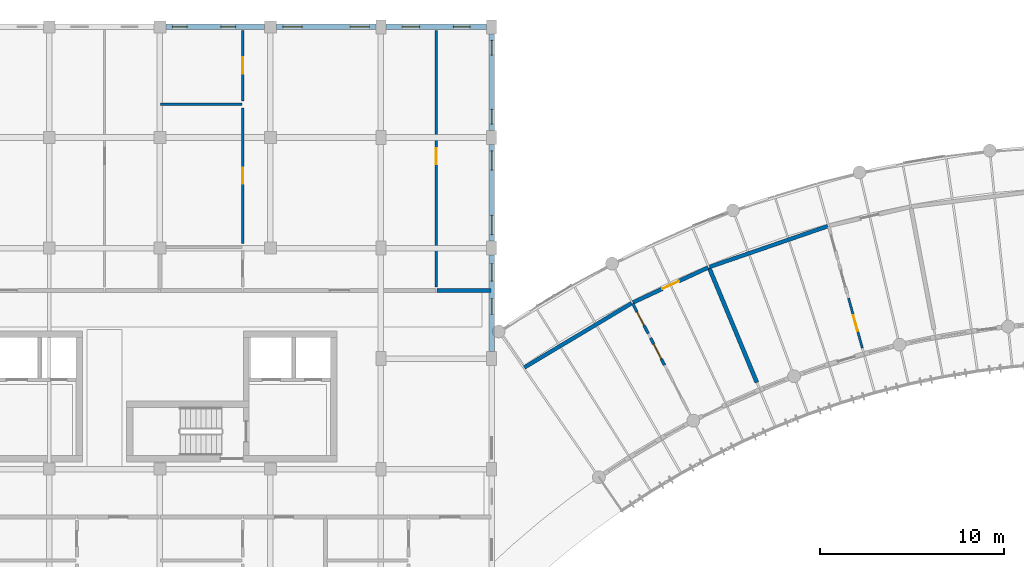
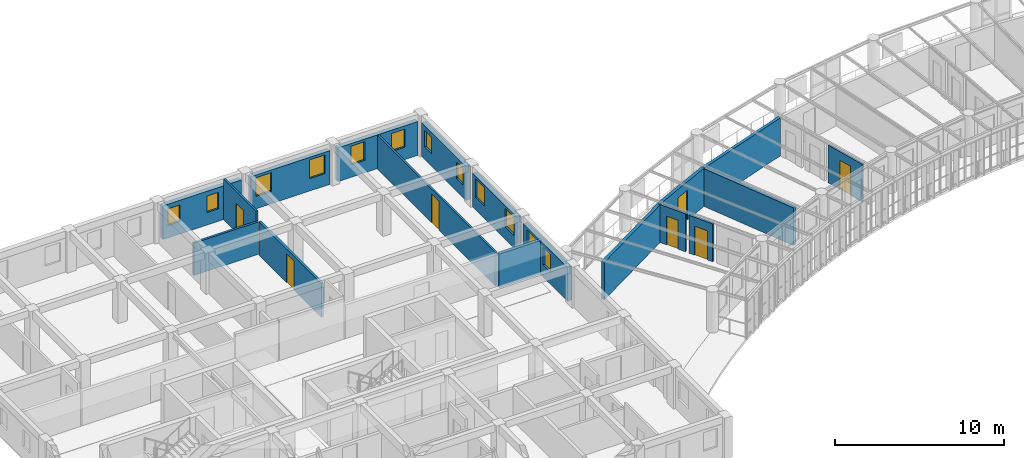
# One storey, part 92 of 123: 18 walls, 12 windows, 7 doors, 19 openings.
"""IFC4 building model written with IfcOpenShell, lengths in metres."""

from ifc_helpers import new_model, si_unit, direction, frame, frame_2d, origin, place, context, subcontext, project, spatial, rectangle, extrude, material, layer, layer_set, type_object, element, fill, save


model = new_model("IFC4")

# Units and contexts
model_context = context("Model", 3, precision=1e-05, world=origin(), true_north=direction((0.0, 1.0)))
body_context = subcontext(model_context, "Body", "Model", "MODEL_VIEW")
ifc_project = project(units=[si_unit("LENGTHUNIT", "METRE"), si_unit("AREAUNIT", "SQUARE_METRE"), si_unit("VOLUMEUNIT", "CUBIC_METRE"), si_unit("PLANEANGLEUNIT", "RADIAN"), si_unit("MASSUNIT", "GRAM", prefix="KILO"), si_unit("POWERUNIT", "WATT"), si_unit("THERMODYNAMICTEMPERATUREUNIT", "KELVIN")], contexts=[model_context])

# Site, building, storey
site_placement = place(None, origin())
site = spatial("IfcSite", under=ifc_project, at=site_placement, CompositionType="ELEMENT")
building_placement = place(site_placement, origin())
building = spatial("IfcBuilding", under=site, at=building_placement, Name="Ruvembo Vaulted Housing Court", CompositionType="ELEMENT")
storey_placement = place(building_placement, frame((0.0, 0.0, 7.699951171875)))
storey = spatial("IfcBuildingStorey", under=building, at=storey_placement, Name="L02", CompositionType="ELEMENT", Elevation=7.699951171875)

# Walls
ifc_material_1 = material(Name="Concrete Blockwork 210", Category="masonry")
ifc_layer_1 = layer(ifc_material_1, 0.2099609375, Name="Concrete Blockwork 210")
ifc_layer_set_1 = layer_set([ifc_layer_1], Name="Concrete Blockwork 210")
wall_type_1 = type_object("IfcWallType", Name="WL-CORR-210", PredefinedType="SOLIDWALL", material=ifc_layer_set_1)
wall_1_placement = place(storey_placement, frame((81.0400390625, 99.699951171875, 0.0), z_axis=(0.0, 0.0, 1.0), x_axis=(1.0, 0.0, 0.0)))
element("IfcWall", 1, at=wall_1_placement, inside=storey, type_object=wall_type_1, Name="L02 Flat B-L02-N2 Corridor Wall 2 WL-INT-L02-00580", PredefinedType="SOLIDWALL", context=body_context, shape_type="SweptSolid", body=[
    extrude(rectangle(XDim=2.919921875, YDim=0.2099609375, at=frame_2d((1.4599609375, 0.0))), origin(), (0.0, 0.0, 1.0), 2.43701171875),
])
wall_2_placement = place(storey_placement, frame((85.779296875, 95.519775390625, 0.0), z_axis=(0.0, 0.0, 1.0), x_axis=(0.857911441451, 0.513797585268, 0.0)))
element("IfcWall", 2, at=wall_2_placement, inside=storey, type_object=wall_type_1, Name="L02 Suite SC3-L02-U1 Gallery Wall WL-INT-L02-00740", PredefinedType="SOLIDWALL", context=body_context, shape_type="SweptSolid", body=[
    extrude(rectangle(XDim=6.789794921875, YDim=0.2099609375, at=frame_2d((3.39501953125, 0.0))), origin(), (0.0, 0.0, 1.0), 2.72216796875),
])

# Wall, opening, door
wall_3_placement = place(storey_placement, frame((91.6748046875, 99.0458984375, 0.0), z_axis=(0.0, 0.0, 1.0), x_axis=(0.906512639591, 0.422178675755, 0.0)))
wall_3 = element("IfcWall", 3, at=wall_3_placement, inside=storey, type_object=wall_type_1, Name="L02 Suite SC3-L02-U1 Entrance WL-INT-L02-00741", PredefinedType="SOLIDWALL", context=body_context, shape_type="SweptSolid", body=[
    extrude(rectangle(XDim=4.50146484375, YDim=0.2099609375, at=frame_2d((2.250732421875, 0.0))), origin(), (0.0, 0.0, 1.0), 2.761962890625),
])
opening_1_placement = place(wall_3_placement, frame((1.750732421875, 0.0, 0.0)))
opening_1 = element("IfcOpeningElement", 4, at=opening_1_placement, cuts=wall_3, Name="Opening FD1", PredefinedType="OPENING", context=body_context, shape_type="SweptSolid", body=[
    extrude(rectangle(XDim=1.0, YDim=2.14990234375, at=frame_2d((0.5, 1.074951171875))), frame((0.0, 0.114990234375, 0.0), z_axis=(0.0, -1.0, 0.0), x_axis=(1.0, 0.0, 0.0)), (0.0, 0.0, 1.0), 0.22998046875),
])
ifc_material_2 = material(Name="FSC Hardwood and Engineered Timber", Category="wood")
door_type_1 = type_object("IfcDoorType", Name="DR-FLAT-1000x2150", OperationType="NOTDEFINED", PredefinedType="DOOR", material=ifc_material_2)
door_1_placement = place(opening_1_placement, origin())
door_1 = element("IfcDoor", 5, at=door_1_placement, inside=storey, type_object=door_type_1, Name="L02 Suite SC3-L02-U1 Entrance Door DR-INT-L02-00408", OperationType="SINGLE_SWING_RIGHT", OverallHeight=2.14990234375, OverallWidth=1.0, PredefinedType="DOOR", context=body_context, shape_type="SweptSolid", body=[
    extrude(rectangle(XDim=1.0, YDim=2.14990234375, at=frame_2d((0.5, 1.074951171875))), frame((0.0, 0.02490234375, 0.0), z_axis=(0.0, -1.0, 0.0), x_axis=(1.0, 0.0, 0.0)), (0.0, 0.0, 1.0), 0.050048828125),
])
fill(opening_1, door_1)

# Walls
wall_4_placement = place(storey_placement, frame((95.82958984375, 100.976318359375, 0.0), z_axis=(0.0, 0.0, 1.0), x_axis=(0.945371453115, 0.325995115969, 0.0)))
element("IfcWall", 6, at=wall_4_placement, inside=storey, type_object=wall_type_1, Name="L02 Suite SC3-L02-U2 Gallery Wall WL-INT-L02-00746", PredefinedType="SOLIDWALL", context=body_context, shape_type="SweptSolid", body=[
    extrude(rectangle(XDim=6.78955078125, YDim=0.2099609375, at=frame_2d((3.394775390625, 0.0))), origin(), (0.0, 0.0, 1.0), 2.741943359375),
])
ifc_material_3 = material(Name="Acoustic Masonry Demising 220", Category="masonry")
ifc_layer_2 = layer(ifc_material_3, 0.219970703125, Name="Acoustic Masonry Demising 220")
ifc_layer_set_2 = layer_set([ifc_layer_2], Name="Acoustic Masonry Demising 220")
wall_type_2 = type_object("IfcWallType", Name="WL-DEM-200", PredefinedType="SOLIDWALL", material=ifc_layer_set_2)
wall_5_placement = place(storey_placement, frame((98.39501953125, 94.707275390625, 0.0), z_axis=(0.0, 0.0, 1.0), x_axis=(-0.384190705314, 0.923253758157, 0.0)))
element("IfcWall", 7, at=wall_5_placement, inside=storey, type_object=wall_type_2, Name="L02 Suite SC3-L02-U1 Demising WL-INT-L02-00745", PredefinedType="SOLIDWALL", context=body_context, shape_type="SweptSolid", body=[
    extrude(rectangle(XDim=6.73583984375, YDim=0.219970703125, at=frame_2d((3.367919921875, 0.0))), origin(), (0.0, 0.0, 1.0), 2.72216796875),
])

# Wall, openings, windows
ifc_material_4 = material(Name="Rendered Masonry 300", Category="masonry")
ifc_layer_3 = layer(ifc_material_4, 0.300048828125, Name="Rendered Masonry 300")
ifc_layer_set_3 = layer_set([ifc_layer_3], Name="Rendered Masonry 300")
wall_type_3 = type_object("IfcWallType", Name="WL-EXT-300", PredefinedType="STANDARD", material=ifc_layer_set_3)
wall_6_placement = place(storey_placement, frame((84.0, 96.375, 0.0), z_axis=(0.0, 0.0, 1.0), x_axis=(0.0, 1.0, 0.0)))
wall_6 = element("IfcWall", 8, at=wall_6_placement, inside=storey, type_object=wall_type_3, Name="Block B L02 Exterior Wall EAST #4", PredefinedType="STANDARD", context=body_context, shape_type="SweptSolid", body=[
    extrude(rectangle(XDim=5.25, YDim=0.300048828125, at=frame_2d((2.625, 0.0))), origin(), (0.0, 0.0, 1.0), 2.43701171875),
])
opening_2_placement = place(wall_6_placement, frame((2.02880859375, 0.0, 0.89990234375)))
opening_2 = element("IfcOpeningElement", 9, at=opening_2_placement, cuts=wall_6, Name="Opening W03", PredefinedType="OPENING", context=body_context, shape_type="SweptSolid", body=[
    extrude(rectangle(XDim=0.85009765625, YDim=1.25, at=frame_2d((0.425048828125, 0.625))), frame((0.0, 0.159912109375, 0.0), z_axis=(0.0, -1.0, 0.0), x_axis=(1.0, 0.0, 0.0)), (0.0, 0.0, 1.0), 0.320068359375),
])
opening_3_placement = place(wall_6_placement, frame((3.83251953125, 0.0, 0.89990234375)))
opening_3 = element("IfcOpeningElement", 10, at=opening_3_placement, cuts=wall_6, Name="Opening W07", PredefinedType="OPENING", context=body_context, shape_type="SweptSolid", body=[
    extrude(rectangle(XDim=0.949951171875, YDim=1.35009765625, at=frame_2d((0.47509765625, 0.675048828125))), frame((0.0, 0.159912109375, 0.0), z_axis=(0.0, -1.0, 0.0), x_axis=(1.0, 0.0, 0.0)), (0.0, 0.0, 1.0), 0.320068359375),
])
ifc_material_5 = material(Name="Double Solar-Control Glazing in Aluminium Frame", Category="aluminium")
window_type_1 = type_object("IfcWindowType", Name="WIN-0850x1250", PartitioningType="SINGLE_PANEL", PredefinedType="WINDOW", material=ifc_material_5)
window_1_placement = place(opening_2_placement, origin())
window_1 = element("IfcWindow", 11, at=window_1_placement, inside=storey, type_object=window_type_1, Name="Block B L02 Window #698", OverallHeight=1.25, OverallWidth=0.85009765625, PartitioningType="SINGLE_PANEL", PredefinedType="WINDOW", context=body_context, shape_type="SweptSolid", body=[
    extrude(rectangle(XDim=0.85009765625, YDim=1.25, at=frame_2d((0.425048828125, 0.625))), frame((0.0, 0.030029296875, 0.0), z_axis=(0.0, -1.0, 0.0), x_axis=(1.0, 0.0, 0.0)), (0.0, 0.0, 1.0), 0.06005859375),
])
fill(opening_2, window_1)
window_type_2 = type_object("IfcWindowType", Name="WIN-0950x1350", PartitioningType="SINGLE_PANEL", PredefinedType="WINDOW", material=ifc_material_5)
window_2_placement = place(opening_3_placement, origin())
window_2 = element("IfcWindow", 12, at=window_2_placement, inside=storey, type_object=window_type_2, Name="Block B L02 Window #699", OverallHeight=1.35009765625, OverallWidth=0.949951171875, PartitioningType="SINGLE_PANEL", PredefinedType="WINDOW", context=body_context, shape_type="SweptSolid", body=[
    extrude(rectangle(XDim=0.949951171875, YDim=1.35009765625, at=frame_2d((0.47509765625, 0.675048828125))), frame((0.0, 0.030029296875, 0.0), z_axis=(0.0, -1.0, 0.0), x_axis=(1.0, 0.0, 0.0)), (0.0, 0.0, 1.0), 0.06005859375),
])
fill(opening_3, window_2)

wall_7_placement = place(storey_placement, frame((84.0, 102.375, 0.0), z_axis=(0.0, 0.0, 1.0), x_axis=(0.0, 1.0, 0.0)))
wall_7 = element("IfcWall", 13, at=wall_7_placement, inside=storey, type_object=wall_type_3, Name="Block B L02 Exterior Wall EAST #5", PredefinedType="STANDARD", context=body_context, shape_type="SweptSolid", body=[
    extrude(rectangle(XDim=5.25, YDim=0.300048828125, at=frame_2d((2.625, 0.0))), origin(), (0.0, 0.0, 1.0), 2.43701171875),
])
opening_4_placement = place(wall_7_placement, frame((0.35009765625, 0.0, 0.89990234375)))
opening_4 = element("IfcOpeningElement", 14, at=opening_4_placement, cuts=wall_7, Name="Opening W09", PredefinedType="OPENING", context=body_context, shape_type="SweptSolid", body=[
    extrude(rectangle(XDim=1.050048828125, YDim=1.35009765625, at=frame_2d((0.52490234375, 0.675048828125))), frame((0.0, 0.159912109375, 0.0), z_axis=(0.0, -1.0, 0.0), x_axis=(1.0, 0.0, 0.0)), (0.0, 0.0, 1.0), 0.320068359375),
])
opening_5_placement = place(wall_7_placement, frame((3.85009765625, 0.0, 0.89990234375)))
opening_5 = element("IfcOpeningElement", 15, at=opening_5_placement, cuts=wall_7, Name="Opening W09", PredefinedType="OPENING", context=body_context, shape_type="SweptSolid", body=[
    extrude(rectangle(XDim=1.050048828125, YDim=1.35009765625, at=frame_2d((0.52490234375, 0.675048828125))), frame((0.0, 0.159912109375, 0.0), z_axis=(0.0, -1.0, 0.0), x_axis=(1.0, 0.0, 0.0)), (0.0, 0.0, 1.0), 0.320068359375),
])
window_type_3 = type_object("IfcWindowType", Name="WIN-1050x1350", PartitioningType="SINGLE_PANEL", PredefinedType="WINDOW", material=ifc_material_5)
window_3_placement = place(opening_4_placement, origin())
window_3 = element("IfcWindow", 16, at=window_3_placement, inside=storey, type_object=window_type_3, Name="Block B L02 Window #700", OverallHeight=1.35009765625, OverallWidth=1.050048828125, PartitioningType="SINGLE_PANEL", PredefinedType="WINDOW", context=body_context, shape_type="SweptSolid", body=[
    extrude(rectangle(XDim=1.050048828125, YDim=1.35009765625, at=frame_2d((0.52490234375, 0.675048828125))), frame((0.0, 0.030029296875, 0.0), z_axis=(0.0, -1.0, 0.0), x_axis=(1.0, 0.0, 0.0)), (0.0, 0.0, 1.0), 0.06005859375),
])
fill(opening_4, window_3)
window_4_placement = place(opening_5_placement, origin())
window_4 = element("IfcWindow", 17, at=window_4_placement, inside=storey, type_object=window_type_3, Name="Block B L02 Window #701", OverallHeight=1.35009765625, OverallWidth=1.050048828125, PartitioningType="SINGLE_PANEL", PredefinedType="WINDOW", context=body_context, shape_type="SweptSolid", body=[
    extrude(rectangle(XDim=1.050048828125, YDim=1.35009765625, at=frame_2d((0.52490234375, 0.675048828125))), frame((0.0, 0.030029296875, 0.0), z_axis=(0.0, -1.0, 0.0), x_axis=(1.0, 0.0, 0.0)), (0.0, 0.0, 1.0), 0.06005859375),
])
fill(opening_5, window_4)

wall_8_placement = place(storey_placement, frame((84.0, 108.375, 0.0), z_axis=(0.0, 0.0, 1.0), x_axis=(0.0, 1.0, 0.0)))
wall_8 = element("IfcWall", 18, at=wall_8_placement, inside=storey, type_object=wall_type_3, Name="Block B L02 Exterior Wall EAST #6", PredefinedType="STANDARD", context=body_context, shape_type="SweptSolid", body=[
    extrude(rectangle(XDim=5.25, YDim=0.300048828125, at=frame_2d((2.625, 0.0))), origin(), (0.0, 0.0, 1.0), 2.43701171875),
])
opening_6_placement = place(wall_8_placement, frame((0.35009765625, 0.0, 0.89990234375)))
opening_6 = element("IfcOpeningElement", 19, at=opening_6_placement, cuts=wall_8, Name="Opening W02", PredefinedType="OPENING", context=body_context, shape_type="SweptSolid", body=[
    extrude(rectangle(XDim=0.800048828125, YDim=1.199951171875, at=frame_2d((0.39990234375, 0.60009765625))), frame((0.0, 0.159912109375, 0.0), z_axis=(0.0, -1.0, 0.0), x_axis=(1.0, 0.0, 0.0)), (0.0, 0.0, 1.0), 0.320068359375),
])
opening_7_placement = place(wall_8_placement, frame((4.10009765625, 0.0, 0.89990234375)))
opening_7 = element("IfcOpeningElement", 20, at=opening_7_placement, cuts=wall_8, Name="Opening W02", PredefinedType="OPENING", context=body_context, shape_type="SweptSolid", body=[
    extrude(rectangle(XDim=0.800048828125, YDim=1.199951171875, at=frame_2d((0.39990234375, 0.60009765625))), frame((0.0, 0.159912109375, 0.0), z_axis=(0.0, -1.0, 0.0), x_axis=(1.0, 0.0, 0.0)), (0.0, 0.0, 1.0), 0.320068359375),
])
window_type_4 = type_object("IfcWindowType", Name="WIN-0800x1200", PartitioningType="SINGLE_PANEL", PredefinedType="WINDOW", material=ifc_material_5)
window_5_placement = place(opening_6_placement, origin())
window_5 = element("IfcWindow", 21, at=window_5_placement, inside=storey, type_object=window_type_4, Name="Block B L02 Window #702", OverallHeight=1.199951171875, OverallWidth=0.800048828125, PartitioningType="SINGLE_PANEL", PredefinedType="WINDOW", context=body_context, shape_type="SweptSolid", body=[
    extrude(rectangle(XDim=0.800048828125, YDim=1.199951171875, at=frame_2d((0.39990234375, 0.60009765625))), frame((0.0, 0.030029296875, 0.0), z_axis=(0.0, -1.0, 0.0), x_axis=(1.0, 0.0, 0.0)), (0.0, 0.0, 1.0), 0.06005859375),
])
fill(opening_6, window_5)
window_6_placement = place(opening_7_placement, origin())
window_6 = element("IfcWindow", 22, at=window_6_placement, inside=storey, type_object=window_type_4, Name="Block B L02 Window #703", OverallHeight=1.199951171875, OverallWidth=0.800048828125, PartitioningType="SINGLE_PANEL", PredefinedType="WINDOW", context=body_context, shape_type="SweptSolid", body=[
    extrude(rectangle(XDim=0.800048828125, YDim=1.199951171875, at=frame_2d((0.39990234375, 0.60009765625))), frame((0.0, 0.030029296875, 0.0), z_axis=(0.0, -1.0, 0.0), x_axis=(1.0, 0.0, 0.0)), (0.0, 0.0, 1.0), 0.06005859375),
])
fill(opening_7, window_6)

wall_9_placement = place(storey_placement, frame((83.72509765625, 114.0, 0.0), z_axis=(0.0, 0.0, 1.0), x_axis=(-1.0, 0.0, 0.0)))
wall_9 = element("IfcWall", 23, at=wall_9_placement, inside=storey, type_object=wall_type_3, Name="Block B L02 Exterior Wall STREET #1", PredefinedType="STANDARD", context=body_context, shape_type="SweptSolid", body=[
    extrude(rectangle(XDim=5.4501953125, YDim=0.300048828125, at=frame_2d((2.72509765625, 0.0))), origin(), (0.0, 0.0, 1.0), 2.43701171875),
])
opening_8_placement = place(wall_9_placement, frame((0.892578125, 0.0, 0.89990234375)))
opening_8 = element("IfcOpeningElement", 24, at=opening_8_placement, cuts=wall_9, Name="Opening W04", PredefinedType="OPENING", context=body_context, shape_type="SweptSolid", body=[
    extrude(rectangle(XDim=0.89990234375, YDim=1.300048828125, at=frame_2d((0.449951171875, 0.64990234375))), frame((0.0, 0.159912109375, 0.0), z_axis=(0.0, -1.0, 0.0), x_axis=(1.0, 0.0, 0.0)), (0.0, 0.0, 1.0), 0.320068359375),
])
opening_9_placement = place(wall_9_placement, frame((3.632568359375, 0.0, 0.89990234375)))
opening_9 = element("IfcOpeningElement", 25, at=opening_9_placement, cuts=wall_9, Name="Opening W07", PredefinedType="OPENING", context=body_context, shape_type="SweptSolid", body=[
    extrude(rectangle(XDim=0.949951171875, YDim=1.35009765625, at=frame_2d((0.47509765625, 0.675048828125))), frame((0.0, 0.159912109375, 0.0), z_axis=(0.0, -1.0, 0.0), x_axis=(1.0, 0.0, 0.0)), (0.0, 0.0, 1.0), 0.320068359375),
])
window_type_5 = type_object("IfcWindowType", Name="WIN-0900x1300", PartitioningType="SINGLE_PANEL", PredefinedType="WINDOW", material=ifc_material_5)
window_7_placement = place(opening_8_placement, origin())
window_7 = element("IfcWindow", 26, at=window_7_placement, inside=storey, type_object=window_type_5, Name="Block B L02 Window #704", OverallHeight=1.300048828125, OverallWidth=0.89990234375, PartitioningType="SINGLE_PANEL", PredefinedType="WINDOW", context=body_context, shape_type="SweptSolid", body=[
    extrude(rectangle(XDim=0.89990234375, YDim=1.300048828125, at=frame_2d((0.449951171875, 0.64990234375))), frame((0.0, 0.030029296875, 0.0), z_axis=(0.0, -1.0, 0.0), x_axis=(1.0, 0.0, 0.0)), (0.0, 0.0, 1.0), 0.06005859375),
])
fill(opening_8, window_7)
window_8_placement = place(opening_9_placement, origin())
window_8 = element("IfcWindow", 27, at=window_8_placement, inside=storey, type_object=window_type_2, Name="Block B L02 Window #705", OverallHeight=1.35009765625, OverallWidth=0.949951171875, PartitioningType="SINGLE_PANEL", PredefinedType="WINDOW", context=body_context, shape_type="SweptSolid", body=[
    extrude(rectangle(XDim=0.949951171875, YDim=1.35009765625, at=frame_2d((0.47509765625, 0.675048828125))), frame((0.0, 0.030029296875, 0.0), z_axis=(0.0, -1.0, 0.0), x_axis=(1.0, 0.0, 0.0)), (0.0, 0.0, 1.0), 0.06005859375),
])
fill(opening_9, window_8)

wall_10_placement = place(storey_placement, frame((77.72509765625, 114.0, 0.0), z_axis=(0.0, 0.0, 1.0), x_axis=(-1.0, 0.0, 0.0)))
wall_10 = element("IfcWall", 28, at=wall_10_placement, inside=storey, type_object=wall_type_3, Name="Block B L02 Exterior Wall STREET #2", PredefinedType="STANDARD", context=body_context, shape_type="SweptSolid", body=[
    extrude(rectangle(XDim=5.400146484375, YDim=0.300048828125, at=frame_2d((2.7001953125, 0.0))), origin(), (0.0, 0.0, 1.0), 2.43701171875),
])
opening_10_placement = place(wall_10_placement, frame((0.35009765625, 0.0, 0.89990234375)))
opening_10 = element("IfcOpeningElement", 29, at=opening_10_placement, cuts=wall_10, Name="Opening W09", PredefinedType="OPENING", context=body_context, shape_type="SweptSolid", body=[
    extrude(rectangle(XDim=1.050048828125, YDim=1.35009765625, at=frame_2d((0.52490234375, 0.675048828125))), frame((0.0, 0.159912109375, 0.0), z_axis=(0.0, -1.0, 0.0), x_axis=(1.0, 0.0, 0.0)), (0.0, 0.0, 1.0), 0.320068359375),
])
opening_11_placement = place(wall_10_placement, frame((4.0, 0.0, 0.89990234375)))
opening_11 = element("IfcOpeningElement", 30, at=opening_11_placement, cuts=wall_10, Name="Opening W09", PredefinedType="OPENING", context=body_context, shape_type="SweptSolid", body=[
    extrude(rectangle(XDim=1.050048828125, YDim=1.35009765625, at=frame_2d((0.52490234375, 0.675048828125))), frame((0.0, 0.159912109375, 0.0), z_axis=(0.0, -1.0, 0.0), x_axis=(1.0, 0.0, 0.0)), (0.0, 0.0, 1.0), 0.320068359375),
])
window_9_placement = place(opening_10_placement, origin())
window_9 = element("IfcWindow", 31, at=window_9_placement, inside=storey, type_object=window_type_3, Name="Block B L02 Window #706", OverallHeight=1.35009765625, OverallWidth=1.050048828125, PartitioningType="SINGLE_PANEL", PredefinedType="WINDOW", context=body_context, shape_type="SweptSolid", body=[
    extrude(rectangle(XDim=1.050048828125, YDim=1.35009765625, at=frame_2d((0.52490234375, 0.675048828125))), frame((0.0, 0.030029296875, 0.0), z_axis=(0.0, -1.0, 0.0), x_axis=(1.0, 0.0, 0.0)), (0.0, 0.0, 1.0), 0.06005859375),
])
fill(opening_10, window_9)
window_10_placement = place(opening_11_placement, origin())
window_10 = element("IfcWindow", 32, at=window_10_placement, inside=storey, type_object=window_type_3, Name="Block B L02 Window #707", OverallHeight=1.35009765625, OverallWidth=1.050048828125, PartitioningType="SINGLE_PANEL", PredefinedType="WINDOW", context=body_context, shape_type="SweptSolid", body=[
    extrude(rectangle(XDim=1.050048828125, YDim=1.35009765625, at=frame_2d((0.52490234375, 0.675048828125))), frame((0.0, 0.030029296875, 0.0), z_axis=(0.0, -1.0, 0.0), x_axis=(1.0, 0.0, 0.0)), (0.0, 0.0, 1.0), 0.06005859375),
])
fill(opening_11, window_10)

wall_11_placement = place(storey_placement, frame((71.675048828125, 114.0, 0.0), z_axis=(0.0, 0.0, 1.0), x_axis=(-1.0, 0.0, 0.0)))
wall_11 = element("IfcWall", 33, at=wall_11_placement, inside=storey, type_object=wall_type_3, Name="Block B L02 Exterior Wall STREET #3", PredefinedType="STANDARD", context=body_context, shape_type="SweptSolid", body=[
    extrude(rectangle(XDim=5.35009765625, YDim=0.300048828125, at=frame_2d((2.675048828125, 0.0))), origin(), (0.0, 0.0, 1.0), 2.43701171875),
])
opening_12_placement = place(wall_11_placement, frame((1.56494140625, 0.0, 0.89990234375)))
opening_12 = element("IfcOpeningElement", 34, at=opening_12_placement, cuts=wall_11, Name="Opening W02", PredefinedType="OPENING", context=body_context, shape_type="SweptSolid", body=[
    extrude(rectangle(XDim=0.800048828125, YDim=1.199951171875, at=frame_2d((0.39990234375, 0.60009765625))), frame((0.0, 0.159912109375, 0.0), z_axis=(0.0, -1.0, 0.0), x_axis=(1.0, 0.0, 0.0)), (0.0, 0.0, 1.0), 0.320068359375),
])
opening_13_placement = place(wall_11_placement, frame((4.199951171875, 0.0, 0.89990234375)))
opening_13 = element("IfcOpeningElement", 35, at=opening_13_placement, cuts=wall_11, Name="Opening W02", PredefinedType="OPENING", context=body_context, shape_type="SweptSolid", body=[
    extrude(rectangle(XDim=0.800048828125, YDim=1.199951171875, at=frame_2d((0.39990234375, 0.60009765625))), frame((0.0, 0.159912109375, 0.0), z_axis=(0.0, -1.0, 0.0), x_axis=(1.0, 0.0, 0.0)), (0.0, 0.0, 1.0), 0.320068359375),
])
window_11_placement = place(opening_12_placement, origin())
window_11 = element("IfcWindow", 36, at=window_11_placement, inside=storey, type_object=window_type_4, Name="Block B L02 Window #708", OverallHeight=1.199951171875, OverallWidth=0.800048828125, PartitioningType="SINGLE_PANEL", PredefinedType="WINDOW", context=body_context, shape_type="SweptSolid", body=[
    extrude(rectangle(XDim=0.800048828125, YDim=1.199951171875, at=frame_2d((0.39990234375, 0.60009765625))), frame((0.0, 0.030029296875, 0.0), z_axis=(0.0, -1.0, 0.0), x_axis=(1.0, 0.0, 0.0)), (0.0, 0.0, 1.0), 0.06005859375),
])
fill(opening_12, window_11)
window_12_placement = place(opening_13_placement, origin())
window_12 = element("IfcWindow", 37, at=window_12_placement, inside=storey, type_object=window_type_4, Name="Block B L02 Window #709", OverallHeight=1.199951171875, OverallWidth=0.800048828125, PartitioningType="SINGLE_PANEL", PredefinedType="WINDOW", context=body_context, shape_type="SweptSolid", body=[
    extrude(rectangle(XDim=0.800048828125, YDim=1.199951171875, at=frame_2d((0.39990234375, 0.60009765625))), frame((0.0, 0.030029296875, 0.0), z_axis=(0.0, -1.0, 0.0), x_axis=(1.0, 0.0, 0.0)), (0.0, 0.0, 1.0), 0.06005859375),
])
fill(opening_13, window_12)

# Wall, opening, door
ifc_material_6 = material(Name="Plasterboard Stud Partition 125", Category="gypsum")
ifc_layer_4 = layer(ifc_material_6, 0.125, Name="Plasterboard Stud Partition 125")
ifc_layer_set_4 = layer_set([ifc_layer_4], Name="Plasterboard Stud Partition 125")
wall_type_4 = type_object("IfcWallType", Name="WL-PART-125", PredefinedType="PARTITIONING", material=ifc_layer_set_4)
wall_12_placement = place(storey_placement, frame((70.5, 109.989990234375, 0.0), z_axis=(0.0, 0.0, 1.0), x_axis=(0.0, 1.0, 0.0)))
wall_12 = element("IfcWall", 38, at=wall_12_placement, inside=storey, type_object=wall_type_4, Name="L02 Flat B-L02-N2 Bedroom 1 WL-INT-L02-00575", PredefinedType="PARTITIONING", context=body_context, shape_type="SweptSolid", body=[
    extrude(rectangle(XDim=3.820068359375, YDim=0.125, at=frame_2d((1.91015625, 0.0))), origin(), (0.0, 0.0, 1.0), 2.955078125),
])
opening_14_placement = place(wall_12_placement, frame((1.4599609375, 0.0, 0.0)))
opening_14 = element("IfcOpeningElement", 39, at=opening_14_placement, cuts=wall_12, Name="Opening ID1", PredefinedType="OPENING", context=body_context, shape_type="SweptSolid", body=[
    extrude(rectangle(XDim=0.89990234375, YDim=2.10009765625, at=frame_2d((0.449951171875, 1.050048828125))), frame((0.0, 0.072509765625, 0.0), z_axis=(0.0, -1.0, 0.0), x_axis=(1.0, 0.0, 0.0)), (0.0, 0.0, 1.0), 0.14501953125),
])
door_type_2 = type_object("IfcDoorType", Name="DR-ROOM-0900x2100", OperationType="NOTDEFINED", PredefinedType="DOOR", material=ifc_material_2)
door_2_placement = place(opening_14_placement, origin())
door_2 = element("IfcDoor", 40, at=door_2_placement, inside=storey, type_object=door_type_2, Name="L02 Flat B-L02-N2 Bedroom 1 Door DR-INT-L02-00312", OperationType="SINGLE_SWING_RIGHT", OverallHeight=2.10009765625, OverallWidth=0.89990234375, PredefinedType="DOOR", context=body_context, shape_type="SweptSolid", body=[
    extrude(rectangle(XDim=0.89990234375, YDim=2.10009765625, at=frame_2d((0.449951171875, 1.050048828125))), frame((0.0, 0.02490234375, 0.0), z_axis=(0.0, -1.0, 0.0), x_axis=(1.0, 0.0, 0.0)), (0.0, 0.0, 1.0), 0.050048828125),
])
fill(opening_14, door_2)

wall_13_placement = place(storey_placement, frame((81.0, 99.889892578125, 0.0), z_axis=(0.0, 0.0, 1.0), x_axis=(0.0, 1.0, 0.0)))
wall_13 = element("IfcWall", 41, at=wall_13_placement, inside=storey, type_object=wall_type_4, Name="L02 Flat B-L02-N2 Bedroom 2 WL-INT-L02-00581", PredefinedType="PARTITIONING", context=body_context, shape_type="SweptSolid", body=[
    extrude(rectangle(XDim=13.920166015625, YDim=0.125, at=frame_2d((6.9599609375, 0.0))), origin(), (0.0, 0.0, 1.0), 2.43701171875),
])
opening_15_placement = place(wall_13_placement, frame((6.64990234375, 0.0, 0.0)))
opening_15 = element("IfcOpeningElement", 42, at=opening_15_placement, cuts=wall_13, Name="Opening ID3", PredefinedType="OPENING", context=body_context, shape_type="SweptSolid", body=[
    extrude(rectangle(XDim=0.8798828125, YDim=2.10009765625, at=frame_2d((0.43994140625, 1.050048828125))), frame((0.0, 0.072509765625, 0.0), z_axis=(0.0, -1.0, 0.0), x_axis=(1.0, 0.0, 0.0)), (0.0, 0.0, 1.0), 0.14501953125),
])
door_type_3 = type_object("IfcDoorType", Name="DR-ROOM-0880x2100", OperationType="NOTDEFINED", PredefinedType="DOOR", material=ifc_material_2)
door_3_placement = place(opening_15_placement, origin())
door_3 = element("IfcDoor", 43, at=door_3_placement, inside=storey, type_object=door_type_3, Name="L02 Flat B-L02-N2 Bedroom 2 Door DR-INT-L02-00315", OperationType="SINGLE_SWING_LEFT", OverallHeight=2.10009765625, OverallWidth=0.8798828125, PredefinedType="DOOR", context=body_context, shape_type="SweptSolid", body=[
    extrude(rectangle(XDim=0.8798828125, YDim=2.10009765625, at=frame_2d((0.43994140625, 1.050048828125))), frame((0.0, 0.02490234375, 0.0), z_axis=(0.0, -1.0, 0.0), x_axis=(1.0, 0.0, 0.0)), (0.0, 0.0, 1.0), 0.050048828125),
])
fill(opening_15, door_3)

wall_14_placement = place(storey_placement, frame((104.117919921875, 96.57958984375, 0.0), z_axis=(0.0, 0.0, 1.0), x_axis=(-0.266568819947, 0.963815887103, 0.0)))
wall_14 = element("IfcWall", 44, at=wall_14_placement, inside=storey, type_object=wall_type_4, Name="L02 Suite SC3-L02-U2 Bedroom WL-INT-L02-00748", PredefinedType="PARTITIONING", context=body_context, shape_type="SweptSolid", body=[
    extrude(rectangle(XDim=2.7998046875, YDim=0.125, at=frame_2d((1.39990234375, 0.0))), origin(), (0.0, 0.0, 1.0), 2.72216796875),
])
opening_16_placement = place(wall_14_placement, frame((0.9599609375, 0.0, 0.0)))
opening_16 = element("IfcOpeningElement", 45, at=opening_16_placement, cuts=wall_14, Name="Opening ID3", PredefinedType="OPENING", context=body_context, shape_type="SweptSolid", body=[
    extrude(rectangle(XDim=0.8798828125, YDim=2.10009765625, at=frame_2d((0.43994140625, 1.050048828125))), frame((0.0, 0.072509765625, 0.0), z_axis=(0.0, -1.0, 0.0), x_axis=(1.0, 0.0, 0.0)), (0.0, 0.0, 1.0), 0.14501953125),
])
door_4_placement = place(opening_16_placement, origin())
door_4 = element("IfcDoor", 46, at=door_4_placement, inside=storey, type_object=door_type_3, Name="L02 Suite SC3-L02-U2 Bedroom Door DR-INT-L02-00413", OperationType="SINGLE_SWING_LEFT", OverallHeight=2.10009765625, OverallWidth=0.8798828125, PredefinedType="DOOR", context=body_context, shape_type="SweptSolid", body=[
    extrude(rectangle(XDim=0.8798828125, YDim=2.10009765625, at=frame_2d((0.43994140625, 1.050048828125))), frame((0.0, 0.02490234375, 0.0), z_axis=(0.0, -1.0, 0.0), x_axis=(1.0, 0.0, 0.0)), (0.0, 0.0, 1.0), 0.050048828125),
])
fill(opening_16, door_4)

# Wall
ifc_material_7 = material(Name="Moisture-Resistant Wet Partition 150", Category="gypsum")
ifc_layer_5 = layer(ifc_material_7, 0.14990234375, Name="Moisture-Resistant Wet Partition 150")
ifc_layer_set_5 = layer_set([ifc_layer_5], Name="Moisture-Resistant Wet Partition 150")
wall_type_5 = type_object("IfcWallType", Name="WL-PART-150", PredefinedType="PARTITIONING", material=ifc_layer_set_5)
wall_15_placement = place(storey_placement, frame((66.0400390625, 109.800048828125, 0.0), z_axis=(0.0, 0.0, 1.0), x_axis=(1.0, 0.0, 0.0)))
element("IfcWall", 47, at=wall_15_placement, inside=storey, type_object=wall_type_5, Name="L02 Flat B-L02-N2 Wet Wall 1 WL-INT-L02-00578", PredefinedType="PARTITIONING", context=body_context, shape_type="SweptSolid", body=[
    extrude(rectangle(XDim=4.419921875, YDim=0.14990234375, at=frame_2d((2.2099609375, 0.0))), origin(), (0.0, 0.0, 1.0), 2.337158203125),
])

# Wall, opening, door
wall_16_placement = place(storey_placement, frame((92.502197265625, 97.359130859375, 0.0), z_axis=(0.0, 0.0, 1.0), x_axis=(-0.459379600499, 0.888240047873, 0.0)))
wall_16 = element("IfcWall", 48, at=wall_16_placement, inside=storey, type_object=wall_type_5, Name="L02 Suite SC3-L02-U1 Bathroom WL-INT-L02-00744", PredefinedType="PARTITIONING", context=body_context, shape_type="SweptSolid", body=[
    extrude(rectangle(XDim=1.83984375, YDim=0.14990234375, at=frame_2d((0.919921875, 0.0))), origin(), (0.0, 0.0, 1.0), 2.741943359375),
])
opening_17_placement = place(wall_16_placement, frame((0.510009765625, 0.0, 0.0)))
opening_17 = element("IfcOpeningElement", 49, at=opening_17_placement, cuts=wall_16, Name="Opening ID4", PredefinedType="OPENING", context=body_context, shape_type="SweptSolid", body=[
    extrude(rectangle(XDim=0.820068359375, YDim=2.080078125, at=frame_2d((0.41015625, 1.0400390625))), frame((0.0, 0.0849609375, 0.0), z_axis=(0.0, -1.0, 0.0), x_axis=(1.0, 0.0, 0.0)), (0.0, 0.0, 1.0), 0.169921875),
])
door_type_4 = type_object("IfcDoorType", Name="DR-WET-0820x2080", OperationType="NOTDEFINED", PredefinedType="DOOR", material=ifc_material_2)
door_5_placement = place(opening_17_placement, origin())
door_5 = element("IfcDoor", 50, at=door_5_placement, inside=storey, type_object=door_type_4, Name="L02 Suite SC3-L02-U1 Bathroom Door DR-INT-L02-00411", OperationType="SINGLE_SWING_LEFT", OverallHeight=2.080078125, OverallWidth=0.820068359375, PredefinedType="DOOR", context=body_context, shape_type="SweptSolid", body=[
    extrude(rectangle(XDim=0.820068359375, YDim=2.080078125, at=frame_2d((0.41015625, 1.0400390625))), frame((0.0, 0.02490234375, 0.0), z_axis=(0.0, -1.0, 0.0), x_axis=(1.0, 0.0, 0.0)), (0.0, 0.0, 1.0), 0.050048828125),
])
fill(opening_17, door_5)

ifc_material_8 = material(Name="Acoustic Service Chase Wall 160", Category="gypsum")
ifc_layer_6 = layer(ifc_material_8, 0.159912109375, Name="Acoustic Service Chase Wall 160")
ifc_layer_set_6 = layer_set([ifc_layer_6], Name="Acoustic Service Chase Wall 160")
wall_type_6 = type_object("IfcWallType", Name="WL-PLUMB-160", PredefinedType="PLUMBINGWALL", material=ifc_layer_set_6)
wall_17_placement = place(storey_placement, frame((70.5, 102.239990234375, 0.0), z_axis=(0.0, 0.0, 1.0), x_axis=(0.0, 1.0, 0.0)))
wall_17 = element("IfcWall", 51, at=wall_17_placement, inside=storey, type_object=wall_type_6, Name="L02 Flat B-L02-N2 Kitchen WL-INT-L02-00576", PredefinedType="PLUMBINGWALL", context=body_context, shape_type="SweptSolid", body=[
    extrude(rectangle(XDim=7.3701171875, YDim=0.159912109375, at=frame_2d((3.68505859375, 0.0))), origin(), (0.0, 0.0, 1.0), 2.43701171875),
])
opening_18_placement = place(wall_17_placement, frame((3.2451171875, 0.0, 0.0)))
opening_18 = element("IfcOpeningElement", 52, at=opening_18_placement, cuts=wall_17, Name="Opening ID3", PredefinedType="OPENING", context=body_context, shape_type="SweptSolid", body=[
    extrude(rectangle(XDim=0.8798828125, YDim=2.10009765625, at=frame_2d((0.43994140625, 1.050048828125))), frame((0.0, 0.08984375, 0.0), z_axis=(0.0, -1.0, 0.0), x_axis=(1.0, 0.0, 0.0)), (0.0, 0.0, 1.0), 0.179931640625),
])
door_6_placement = place(opening_18_placement, origin())
door_6 = element("IfcDoor", 53, at=door_6_placement, inside=storey, type_object=door_type_3, Name="L02 Flat B-L02-N2 Kitchen Door DR-INT-L02-00313", OperationType="SINGLE_SWING_LEFT", OverallHeight=2.10009765625, OverallWidth=0.8798828125, PredefinedType="DOOR", context=body_context, shape_type="SweptSolid", body=[
    extrude(rectangle(XDim=0.8798828125, YDim=2.10009765625, at=frame_2d((0.43994140625, 1.050048828125))), frame((0.0, 0.02490234375, 0.0), z_axis=(0.0, -1.0, 0.0), x_axis=(1.0, 0.0, 0.0)), (0.0, 0.0, 1.0), 0.050048828125),
])
fill(opening_18, door_6)

wall_18_placement = place(storey_placement, frame((93.384521484375, 95.65380859375, 0.0), z_axis=(0.0, 0.0, 1.0), x_axis=(-0.459495453195, 0.888180121649, 0.0)))
wall_18 = element("IfcWall", 54, at=wall_18_placement, inside=storey, type_object=wall_type_6, Name="L02 Suite SC3-L02-U1 Kitchen WL-INT-L02-00743", PredefinedType="PLUMBINGWALL", context=body_context, shape_type="SweptSolid", body=[
    extrude(rectangle(XDim=1.648193359375, YDim=0.159912109375, at=frame_2d((0.82421875, 0.0))), origin(), (0.0, 0.0, 1.0), 2.741943359375),
])
opening_19_placement = place(wall_18_placement, frame((0.3740234375, 0.0, 0.0)))
opening_19 = element("IfcOpeningElement", 55, at=opening_19_placement, cuts=wall_18, Name="Opening ID1", PredefinedType="OPENING", context=body_context, shape_type="SweptSolid", body=[
    extrude(rectangle(XDim=0.89990234375, YDim=2.10009765625, at=frame_2d((0.449951171875, 1.050048828125))), frame((0.0, 0.08984375, 0.0), z_axis=(0.0, -1.0, 0.0), x_axis=(1.0, 0.0, 0.0)), (0.0, 0.0, 1.0), 0.179931640625),
])
door_7_placement = place(opening_19_placement, origin())
door_7 = element("IfcDoor", 56, at=door_7_placement, inside=storey, type_object=door_type_2, Name="L02 Suite SC3-L02-U1 Kitchen Door DR-INT-L02-00410", OperationType="SINGLE_SWING_RIGHT", OverallHeight=2.10009765625, OverallWidth=0.89990234375, PredefinedType="DOOR", context=body_context, shape_type="SweptSolid", body=[
    extrude(rectangle(XDim=0.89990234375, YDim=2.10009765625, at=frame_2d((0.449951171875, 1.050048828125))), frame((0.0, 0.02490234375, 0.0), z_axis=(0.0, -1.0, 0.0), x_axis=(1.0, 0.0, 0.0)), (0.0, 0.0, 1.0), 0.050048828125),
])
fill(opening_19, door_7)

save(model, "model.ifc")
